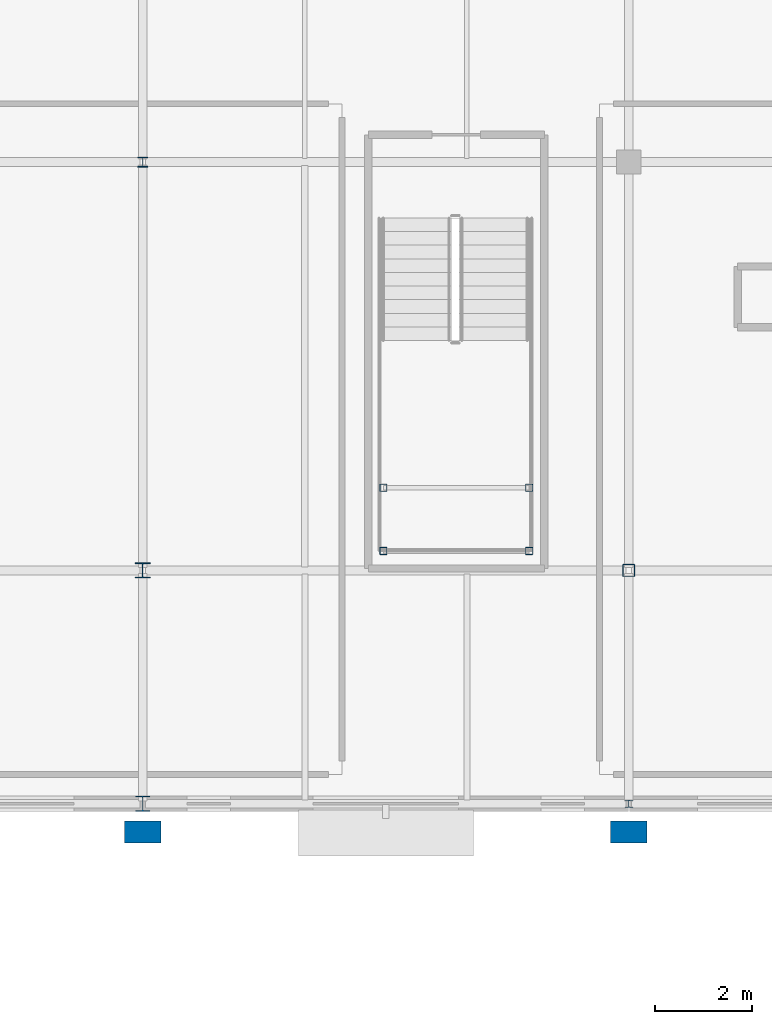
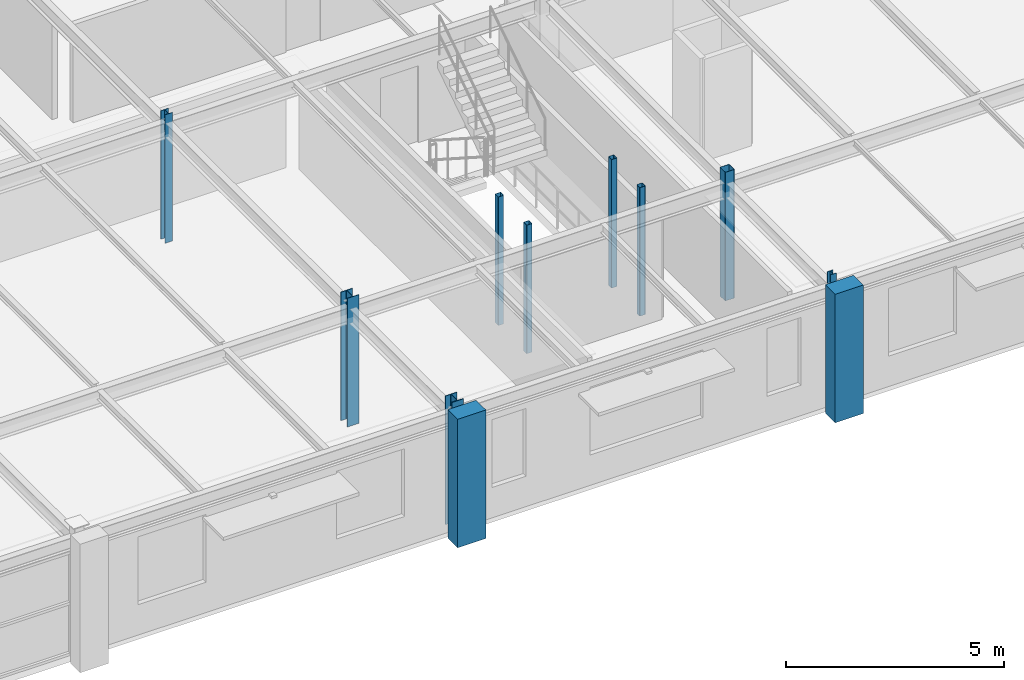
# One storey, part 22 of 109: 11 columns.
"""IFC4 building model written with IfcOpenShell, lengths in metres."""

from ifc_helpers import new_model, si_unit, derived_unit, direction, frame, origin, origin_2d_with_axis, place, context, subcontext, project, spatial, rectangle, hollow_rectangle, i_section, extrude, material, material_profile, profile_set, type_object, element, save


model = new_model("IFC4")

# Units and contexts
model_context = context("Model", 3, precision=1e-05, world=origin(), true_north=direction((0.0, 1.0)))
body_context = subcontext(model_context, "Body", "Model", "MODEL_VIEW")
ifc_project = project(units=[si_unit("LENGTHUNIT", "METRE"), si_unit("AREAUNIT", "SQUARE_METRE"), si_unit("VOLUMEUNIT", "CUBIC_METRE"), si_unit("PLANEANGLEUNIT", "RADIAN"), si_unit("MASSUNIT", "GRAM", prefix="KILO"), derived_unit("THERMALTRANSMITTANCEUNIT", [(si_unit("POWERUNIT", "WATT"), 1), (si_unit("LENGTHUNIT", "METRE"), -2), (si_unit("THERMODYNAMICTEMPERATUREUNIT", "KELVIN"), -1)])], contexts=[model_context])

# Site, building, storey
site_placement = place(None, origin())
site = spatial("IfcSite", under=ifc_project, at=site_placement, CompositionType="ELEMENT")
building_placement = place(site_placement, origin())
building = spatial("IfcBuilding", under=site, at=building_placement, Name="Cinnabar Yard Market Hall", CompositionType="ELEMENT")
storey_placement = place(building_placement, frame((0.0, 0.0, 8.39990234375)))
storey = spatial("IfcBuildingStorey", under=building, at=storey_placement, Name="L02", CompositionType="ELEMENT", Elevation=8.39990234375)

# Columns
ifc_material_1 = material(Name="Steel Grade 300 (300 MPa)", Category="steel")
ifc_material_profile_1 = material_profile(ifc_material_1, i_section(OverallWidth=0.307373046875, OverallDepth=0.314697265625, WebThickness=0.011962890625, FlangeThickness=0.018798828125, FilletRadius=0.0166015625, at=origin_2d_with_axis()), Name="310UC118")
ifc_profile_set_1 = profile_set([ifc_material_profile_1], Name="Steel Grade 300 (300 MPa)")
column_type_1 = type_object("IfcColumnType", Name="COL-C08E", PredefinedType="COLUMN", material=ifc_profile_set_1)
column_1_placement = place(storey_placement, frame((136.0, 108.0, 0.0), z_axis=(0.0, 0.0, 1.0), x_axis=(1.0, 0.0, 0.0)))
element("IfcColumn", 1, at=column_1_placement, inside=storey, type_object=column_type_1, Name="Wing Column V3-08-01 L02", PredefinedType="COLUMN", context=body_context, shape_type="SweptSolid", body=[
    extrude(i_section(OverallWidth=0.307373046875, OverallDepth=0.314697265625, WebThickness=0.011962890625, FlangeThickness=0.018798828125, FilletRadius=0.0166015625, at=origin_2d_with_axis()), origin(), (0.0, 0.0, 1.0), 3.60009765625),
])
ifc_material_profile_2 = material_profile(ifc_material_1, i_section(OverallWidth=0.304931640625, OverallDepth=0.30810546875, WebThickness=0.010009765625, FlangeThickness=0.015380859375, FilletRadius=0.0166015625, at=origin_2d_with_axis()), Name="310UC96.8")
ifc_profile_set_2 = profile_set([ifc_material_profile_2], Name="Steel Grade 300 (300 MPa)")
column_type_2 = type_object("IfcColumnType", Name="COL-C09", PredefinedType="COLUMN", material=ifc_profile_set_2)
column_2_placement = place(storey_placement, frame((136.0, 112.800048828125, 0.0), z_axis=(0.0, 0.0, 1.0), x_axis=(1.0, 0.0, 0.0)))
element("IfcColumn", 2, at=column_2_placement, inside=storey, type_object=column_type_2, Name="Wing Column V3-08-02 L02", PredefinedType="COLUMN", context=body_context, shape_type="SweptSolid", body=[
    extrude(i_section(OverallWidth=0.304931640625, OverallDepth=0.30810546875, WebThickness=0.010009765625, FlangeThickness=0.015380859375, FilletRadius=0.0166015625, at=origin_2d_with_axis()), origin(), (0.0, 0.0, 1.0), 3.60009765625),
])
ifc_material_profile_3 = material_profile(ifc_material_1, i_section(OverallWidth=0.203369140625, OverallDepth=0.203369140625, WebThickness=0.00732421875, FlangeThickness=0.010986328125, FilletRadius=0.011474609375, at=origin_2d_with_axis()), Name="200UC46.2")
ifc_profile_set_3 = profile_set([ifc_material_profile_3], Name="Steel Grade 300 (300 MPa)")
column_type_3 = type_object("IfcColumnType", Name="COL-C13", PredefinedType="COLUMN", material=ifc_profile_set_3)
column_3_placement = place(storey_placement, frame((136.0, 121.199951171875, 0.0), z_axis=(0.0, 0.0, 1.0), x_axis=(1.0, 0.0, 0.0)))
element("IfcColumn", 3, at=column_3_placement, inside=storey, type_object=column_type_3, Name="Wing Column V3-08-03 L02", PredefinedType="COLUMN", context=body_context, shape_type="SweptSolid", body=[
    extrude(i_section(OverallWidth=0.203369140625, OverallDepth=0.203369140625, WebThickness=0.00732421875, FlangeThickness=0.010986328125, FilletRadius=0.011474609375, at=origin_2d_with_axis()), origin(), (0.0, 0.0, 1.0), 3.60009765625),
])
ifc_material_2 = material(Name="Cold-formed steel C350L0", Category="steel")
ifc_material_profile_4 = material_profile(ifc_material_2, hollow_rectangle(XDim=0.14990234375, YDim=0.14990234375, WallThickness=0.006103515625, InnerFilletRadius=0.006103515625, OuterFilletRadius=0.011962890625, at=origin_2d_with_axis()), Name="150x150x6.0SHS")
ifc_profile_set_4 = profile_set([ifc_material_profile_4], Name="Cold-formed steel C350L0")
column_type_4 = type_object("IfcColumnType", Name="COL-C16", PredefinedType="COLUMN", material=ifc_profile_set_4)
for number, where, z_axis, x_axis, name in (
    (4, (140.949951171875, 113.199951171875, 0.0), (0.0, 0.0, 1.0), (1.0, 0.0, 0.0), "Feature Stair Post ST-F6-1 L02"),
    (5, (143.949951171875, 113.199951171875, 0.0), (0.0, 0.0, 1.0), (1.0, 0.0, 0.0), "Feature Stair Post ST-F6-2 L02"),
    (6, (140.949951171875, 114.5, 0.0), (0.0, 0.0, 1.0), (1.0, 0.0, 0.0), "Feature Stair Post ST-F6-3 L02"),
    (7, (143.949951171875, 114.5, 0.0), (0.0, 0.0, 1.0), (1.0, 0.0, 0.0), "Feature Stair Post ST-F6-4 L02"),
):
    element("IfcColumn", number, at=place(storey_placement, frame(where, z_axis=z_axis, x_axis=x_axis)), inside=storey, type_object=column_type_4, Name=name, PredefinedType="COLUMN", context=body_context, shape_type="SweptSolid", body=[
        extrude(hollow_rectangle(XDim=0.14990234375, YDim=0.14990234375, WallThickness=0.006103515625, InnerFilletRadius=0.006103515625, OuterFilletRadius=0.011962890625, at=origin_2d_with_axis()), origin(), (0.0, 0.0, 1.0), 3.60009765625),
    ])
ifc_material_profile_5 = material_profile(ifc_material_1, i_section(OverallWidth=0.152099609375, OverallDepth=0.15234375, WebThickness=0.005859375, FlangeThickness=0.0068359375, FilletRadius=0.0087890625, at=origin_2d_with_axis()), Name="150UC23.4")
ifc_profile_set_5 = profile_set([ifc_material_profile_5], Name="Steel Grade 300 (300 MPa)")
column_type_5 = type_object("IfcColumnType", Name="COL-C19E", PredefinedType="COLUMN", material=ifc_profile_set_5)
column_4_placement = place(storey_placement, frame((146.0, 108.0, 0.0), z_axis=(0.0, 0.0, 1.0), x_axis=(1.0, 0.0, 0.0)))
element("IfcColumn", 8, at=column_4_placement, inside=storey, type_object=column_type_5, Name="Wing Column V3-09-01 L02", PredefinedType="COLUMN", context=body_context, shape_type="SweptSolid", body=[
    extrude(i_section(OverallWidth=0.152099609375, OverallDepth=0.15234375, WebThickness=0.005859375, FlangeThickness=0.0068359375, FilletRadius=0.0087890625, at=origin_2d_with_axis()), origin(), (0.0, 0.0, 1.0), 3.60009765625),
])
ifc_material_profile_6 = material_profile(ifc_material_2, hollow_rectangle(XDim=0.25, YDim=0.25, WallThickness=0.009033203125, InnerFilletRadius=0.009033203125, OuterFilletRadius=0.01806640625, at=origin_2d_with_axis()), Name="250x250x9.0SHS")
ifc_profile_set_6 = profile_set([ifc_material_profile_6], Name="Cold-formed steel C350L0")
column_type_6 = type_object("IfcColumnType", Name="COL-C20", PredefinedType="COLUMN", material=ifc_profile_set_6)
column_5_placement = place(storey_placement, frame((146.0, 112.800048828125, 0.0), z_axis=(0.0, 0.0, 1.0), x_axis=(1.0, 0.0, 0.0)))
element("IfcColumn", 9, at=column_5_placement, inside=storey, type_object=column_type_6, Name="Wing Column V3-09-02 L02", PredefinedType="COLUMN", context=body_context, shape_type="SweptSolid", body=[
    extrude(hollow_rectangle(XDim=0.25, YDim=0.25, WallThickness=0.009033203125, InnerFilletRadius=0.009033203125, OuterFilletRadius=0.01806640625, at=origin_2d_with_axis()), origin(), (0.0, 0.0, 1.0), 3.60009765625),
])
ifc_material_3 = material(Name="Concrete 40 MPa", Category="concrete")
ifc_material_profile_7 = material_profile(ifc_material_3, rectangle(XDim=0.75, YDim=0.449951171875, at=origin_2d_with_axis()), Name="RC-750x450")
ifc_profile_set_7 = profile_set([ifc_material_profile_7], Name="Concrete 40 MPa")
column_type_7 = type_object("IfcColumnType", Name="COL-PIL1E", PredefinedType="PILASTER", material=ifc_profile_set_7)
for number, where, z_axis, x_axis, name in (
    (10, (136.0, 107.419921875, 0.0), (0.0, 0.0, 1.0), (1.0, 0.0, 0.0), "Engaged Pilaster 06 L02"),
    (11, (146.0, 107.419921875, 0.0), (0.0, 0.0, 1.0), (1.0, 0.0, 0.0), "Engaged Pilaster 07 L02"),
):
    element("IfcColumn", number, at=place(storey_placement, frame(where, z_axis=z_axis, x_axis=x_axis)), inside=storey, type_object=column_type_7, Name=name, PredefinedType="PILASTER", context=body_context, shape_type="SweptSolid", body=[
        extrude(rectangle(XDim=0.75, YDim=0.449951171875, at=origin_2d_with_axis()), origin(), (0.0, 0.0, 1.0), 3.60009765625),
    ])

save(model, "model.ifc")
